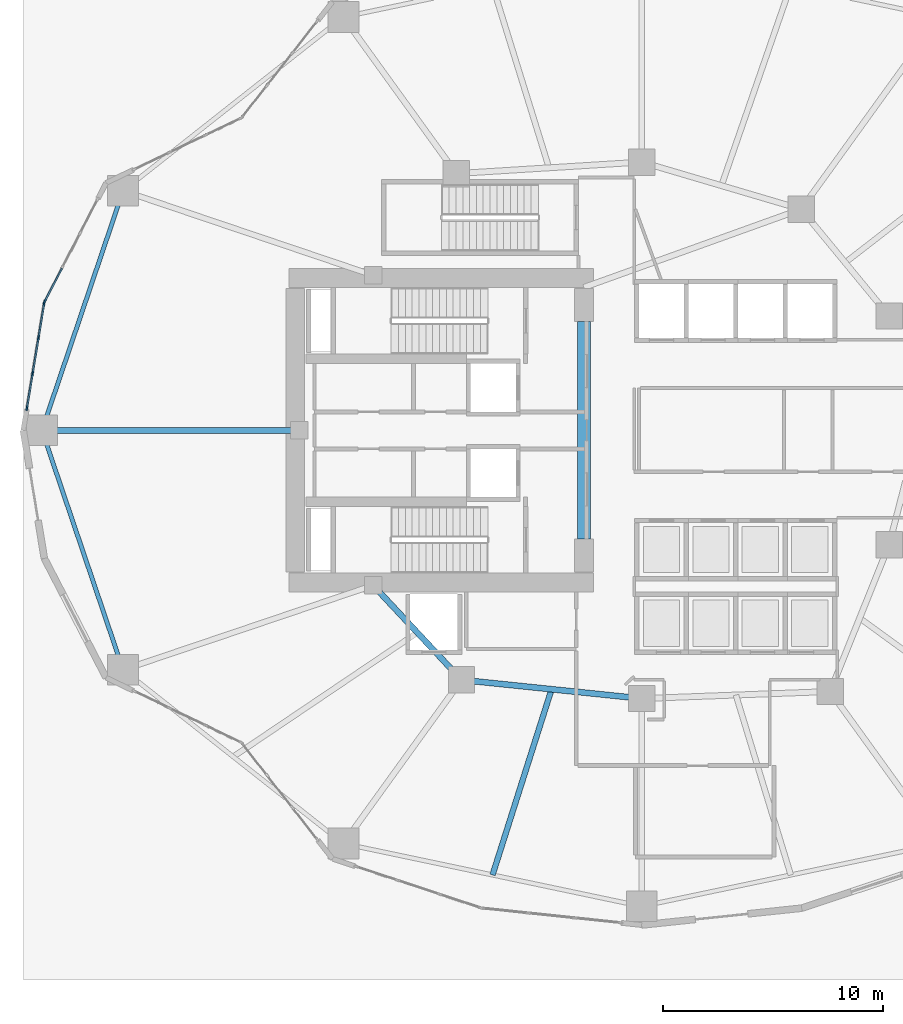
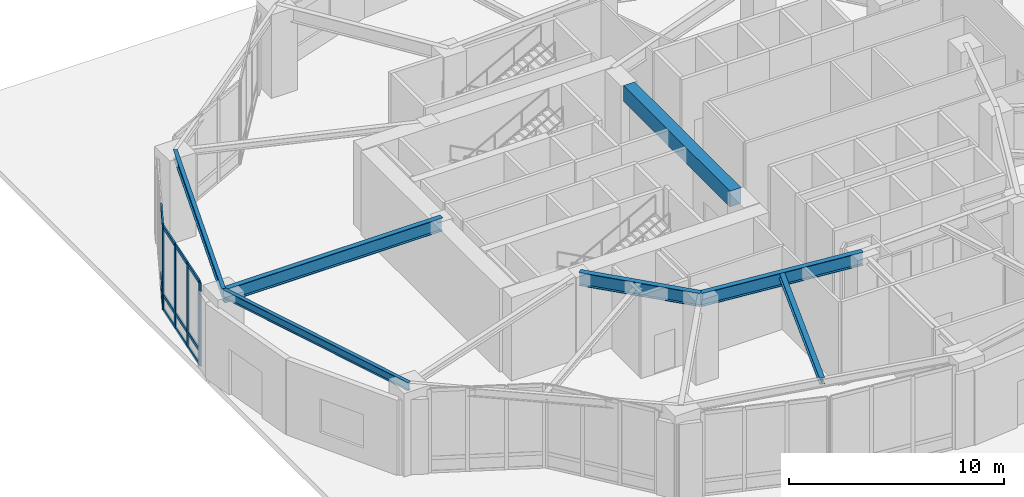
# One storey, part 3 of 23: 17 members, 7 beams, 2 elements without a shape of their own.
"""IFC4 building model written with IfcOpenShell, lengths in metres."""

from ifc_helpers import new_model, si_unit, direction, frame, origin, origin_2d, place, context, subcontext, project, spatial, rectangle, i_section, extrude, material, layer, layer_set, material_profile, profile_set, type_object, element, aggregate, save


model = new_model("IFC4")

# Units and contexts
model_context = context("Model", 3, precision=1e-05, world=origin(), true_north=direction((0.0, 1.0)))
body_context = subcontext(model_context, "Body", "Model", "MODEL_VIEW")
ifc_project = project(units=[si_unit("LENGTHUNIT", "METRE"), si_unit("AREAUNIT", "SQUARE_METRE"), si_unit("VOLUMEUNIT", "CUBIC_METRE"), si_unit("PLANEANGLEUNIT", "RADIAN"), si_unit("MASSUNIT", "GRAM", prefix="KILO")], contexts=[model_context])

# Site, building, storey
site_placement = place(None, origin())
site = spatial("IfcSite", under=ifc_project, at=site_placement, CompositionType="ELEMENT")
building_placement = place(site_placement, origin())
building = spatial("IfcBuilding", under=site, at=building_placement, Name="Kolvaren Gate Tower and Convention Centre", CompositionType="ELEMENT")
storey_placement = place(building_placement, origin())
storey = spatial("IfcBuildingStorey", under=building, at=storey_placement, Name="L00", CompositionType="ELEMENT", Elevation=0.0)

# Curtain wall, member
ifc_material_1 = material(Name="Anodized Architectural Aluminium Alloy 6063-T6", Category="aluminium")
ifc_layer = layer(ifc_material_1, 0.179931640625)
ifc_layer_set = layer_set([ifc_layer], Name="Anodized Architectural Aluminium Alloy 6063-T6")
curtain_wall_type = type_object("IfcCurtainWallType", Name="CW-POD-GLZ", PredefinedType="NOTDEFINED", material=ifc_layer_set)
curtain_wall_1_placement = place(storey_placement, origin())
curtain_wall_1 = element("IfcCurtainWall", 1, at=curtain_wall_1_placement, inside=storey, type_object=curtain_wall_type, Name="Tower L00 Unitised Curtain Wall CW-POD-GLZ Bay 10", PredefinedType="NOTDEFINED")
ifc_material_profile_1 = material_profile(ifc_material_1, rectangle(XDim=0.074951171875, YDim=0.199951171875, at=origin_2d()), Name="CW-MEM-MUL-200")
ifc_profile_set_1 = profile_set([ifc_material_profile_1], Name="Anodized Architectural Aluminium Alloy 6063-T6")
member_type_1 = type_object("IfcMemberType", Name="CW-MEM-MUL-200", PredefinedType="MULLION", material=ifc_profile_set_1)
member_1_placement = place(storey_placement, frame((2.9755859375, 32.856689453125, 0.0), z_axis=(0.0, 0.0, 1.0), x_axis=(-0.888028058024, 0.459789264949, 0.0)))
member_1 = element("IfcMember", 2, at=member_1_placement, type_object=member_type_1, Name="CW-01 mullion 1", PredefinedType="MULLION", context=body_context, shape_type="SweptSolid", body=[
    extrude(rectangle(XDim=0.074951171875, YDim=0.199951171875, at=origin_2d()), origin(), (0.0, 0.0, 1.0), 4.739990234375),
])

# Curtain wall, members
curtain_wall_2_placement = place(storey_placement, origin())
curtain_wall_2 = element("IfcCurtainWall", 3, at=curtain_wall_2_placement, inside=storey, type_object=curtain_wall_type, Name="Tower L00 Unitised Curtain Wall CW-POD-GLZ Bay 11", PredefinedType="NOTDEFINED")
member_2_placement = place(storey_placement, frame((2.164794921875, 28.001953125, 0.0), z_axis=(0.0, 0.0, 1.0), x_axis=(-0.986728883059, 0.162376449454, 0.0)))
member_2 = element("IfcMember", 4, at=member_2_placement, type_object=member_type_1, Name="CW-01 mullion 1", PredefinedType="MULLION", context=body_context, shape_type="SweptSolid", body=[
    extrude(rectangle(XDim=0.074951171875, YDim=0.199951171875, at=origin_2d()), origin(), (0.0, 0.0, 1.0), 4.739990234375),
])
member_3_placement = place(storey_placement, frame((2.42529296875, 29.58447265625, 0.0), z_axis=(0.0, 0.0, 1.0), x_axis=(-0.986728883059, 0.162376449454, 0.0)))
member_3 = element("IfcMember", 5, at=member_3_placement, type_object=member_type_1, Name="CW-01 mullion 2", PredefinedType="MULLION", context=body_context, shape_type="SweptSolid", body=[
    extrude(rectangle(XDim=0.074951171875, YDim=0.199951171875, at=origin_2d()), origin(), (0.0, 0.0, 1.0), 4.739990234375),
])
member_4_placement = place(storey_placement, frame((2.69189453125, 31.203857421875, 0.0), z_axis=(0.0, 0.0, 1.0), x_axis=(-0.986728883059, 0.162376449454, 0.0)))
member_4 = element("IfcMember", 6, at=member_4_placement, type_object=member_type_1, Name="CW-01 mullion 3", PredefinedType="MULLION", context=body_context, shape_type="SweptSolid", body=[
    extrude(rectangle(XDim=0.074951171875, YDim=0.199951171875, at=origin_2d()), origin(), (0.0, 0.0, 1.0), 4.739990234375),
])
member_5_placement = place(storey_placement, frame((2.9521484375, 32.786376953125, 0.0), z_axis=(0.0, 0.0, 1.0), x_axis=(-0.986728883059, 0.162376449454, 0.0)))
member_5 = element("IfcMember", 7, at=member_5_placement, type_object=member_type_1, Name="CW-01 mullion 4", PredefinedType="MULLION", context=body_context, shape_type="SweptSolid", body=[
    extrude(rectangle(XDim=0.074951171875, YDim=0.199951171875, at=origin_2d()), origin(), (0.0, 0.0, 1.0), 4.739990234375),
])

# Member
ifc_material_profile_2 = material_profile(ifc_material_1, rectangle(XDim=0.074951171875, YDim=0.199951171875, at=origin_2d()), Name="CW-MEM-TRN-200")
ifc_profile_set_2 = profile_set([ifc_material_profile_2], Name="Anodized Architectural Aluminium Alloy 6063-T6")
member_type_2 = type_object("IfcMemberType", Name="CW-MEM-TRN-200", PredefinedType="USERDEFINED", material=ifc_profile_set_2)
member_6_placement = place(storey_placement, frame((2.99267578125, 32.889892578125, 0.03759765625), z_axis=(0.459779568352, 0.888033078509, 0.0), x_axis=(-0.888033078509, 0.459779568352, 0.0)))
member_6 = element("IfcMember", 8, at=member_6_placement, type_object=member_type_2, Name="CW-01 transom 1.1", ObjectType="TRANSOM", PredefinedType="USERDEFINED", context=body_context, shape_type="SweptSolid", body=[
    extrude(rectangle(XDim=0.074951171875, YDim=0.199951171875, at=origin_2d()), origin(), (0.0, 0.0, 1.0), 1.6572265625),
])

member_7_placement = place(storey_placement, frame((2.99267578125, 32.889892578125, 0.85009765625), z_axis=(0.459779568352, 0.888033078509, 0.0), x_axis=(-0.888033078509, 0.459779568352, 0.0)))
member_7 = element("IfcMember", 9, at=member_7_placement, type_object=member_type_2, Name="CW-01 transom 1.2", ObjectType="TRANSOM", PredefinedType="USERDEFINED", context=body_context, shape_type="SweptSolid", body=[
    extrude(rectangle(XDim=0.074951171875, YDim=0.199951171875, at=origin_2d()), origin(), (0.0, 0.0, 1.0), 1.6572265625),
])

member_8_placement = place(storey_placement, frame((2.99267578125, 32.889892578125, 4.702392578125), z_axis=(0.459779568352, 0.888033078509, 0.0), x_axis=(-0.888033078509, 0.459779568352, 0.0)))
member_8 = element("IfcMember", 10, at=member_8_placement, type_object=member_type_2, Name="CW-01 transom 1.3", ObjectType="TRANSOM", PredefinedType="USERDEFINED", context=body_context, shape_type="SweptSolid", body=[
    extrude(rectangle(XDim=0.074951171875, YDim=0.199951171875, at=origin_2d()), origin(), (0.0, 0.0, 1.0), 1.6572265625),
])

aggregate(curtain_wall_1, [member_1, member_6, member_7, member_8])

member_9_placement = place(storey_placement, frame((2.1708984375, 28.0390625, 0.03759765625), z_axis=(0.162430279012, 0.98672002334, 0.0), x_axis=(-0.98672002334, 0.162430279012, 0.0)))
member_9 = element("IfcMember", 11, at=member_9_placement, type_object=member_type_2, Name="CW-01 transom 1.1", ObjectType="TRANSOM", PredefinedType="USERDEFINED", context=body_context, shape_type="SweptSolid", body=[
    extrude(rectangle(XDim=0.074951171875, YDim=0.199951171875, at=origin_2d()), origin(), (0.0, 0.0, 1.0), 1.528564453125),
])

member_10_placement = place(storey_placement, frame((2.1708984375, 28.0390625, 0.85009765625), z_axis=(0.162430279012, 0.98672002334, 0.0), x_axis=(-0.98672002334, 0.162430279012, 0.0)))
member_10 = element("IfcMember", 12, at=member_10_placement, type_object=member_type_2, Name="CW-01 transom 1.2", ObjectType="TRANSOM", PredefinedType="USERDEFINED", context=body_context, shape_type="SweptSolid", body=[
    extrude(rectangle(XDim=0.074951171875, YDim=0.199951171875, at=origin_2d()), origin(), (0.0, 0.0, 1.0), 1.528564453125),
])

member_11_placement = place(storey_placement, frame((2.1708984375, 28.0390625, 4.702392578125), z_axis=(0.162430279012, 0.98672002334, 0.0), x_axis=(-0.98672002334, 0.162430279012, 0.0)))
member_11 = element("IfcMember", 13, at=member_11_placement, type_object=member_type_2, Name="CW-01 transom 1.3", ObjectType="TRANSOM", PredefinedType="USERDEFINED", context=body_context, shape_type="SweptSolid", body=[
    extrude(rectangle(XDim=0.074951171875, YDim=0.199951171875, at=origin_2d()), origin(), (0.0, 0.0, 1.0), 1.528564453125),
])

member_12_placement = place(storey_placement, frame((2.431396484375, 29.62158203125, 0.03759765625), z_axis=(0.162426987198, 0.986720565221, 0.0), x_axis=(-0.986720565221, 0.162426987198, 0.0)))
member_12 = element("IfcMember", 14, at=member_12_placement, type_object=member_type_2, Name="CW-01 transom 2.1", ObjectType="TRANSOM", PredefinedType="USERDEFINED", context=body_context, shape_type="SweptSolid", body=[
    extrude(rectangle(XDim=0.074951171875, YDim=0.199951171875, at=origin_2d()), origin(), (0.0, 0.0, 1.0), 1.566162109375),
])

member_13_placement = place(storey_placement, frame((2.431396484375, 29.62158203125, 0.85009765625), z_axis=(0.162426987198, 0.986720565221, 0.0), x_axis=(-0.986720565221, 0.162426987198, 0.0)))
member_13 = element("IfcMember", 15, at=member_13_placement, type_object=member_type_2, Name="CW-01 transom 2.2", ObjectType="TRANSOM", PredefinedType="USERDEFINED", context=body_context, shape_type="SweptSolid", body=[
    extrude(rectangle(XDim=0.074951171875, YDim=0.199951171875, at=origin_2d()), origin(), (0.0, 0.0, 1.0), 1.566162109375),
])

member_14_placement = place(storey_placement, frame((2.431396484375, 29.62158203125, 4.702392578125), z_axis=(0.162426987198, 0.986720565221, 0.0), x_axis=(-0.986720565221, 0.162426987198, 0.0)))
member_14 = element("IfcMember", 16, at=member_14_placement, type_object=member_type_2, Name="CW-01 transom 2.3", ObjectType="TRANSOM", PredefinedType="USERDEFINED", context=body_context, shape_type="SweptSolid", body=[
    extrude(rectangle(XDim=0.074951171875, YDim=0.199951171875, at=origin_2d()), origin(), (0.0, 0.0, 1.0), 1.566162109375),
])

member_15_placement = place(storey_placement, frame((2.697998046875, 31.240966796875, 0.03759765625), z_axis=(0.162249200801, 0.986749814715, 0.0), x_axis=(-0.986749814715, 0.162249200801, 0.0)))
member_15 = element("IfcMember", 17, at=member_15_placement, type_object=member_type_2, Name="CW-01 transom 3.1", ObjectType="TRANSOM", PredefinedType="USERDEFINED", context=body_context, shape_type="SweptSolid", body=[
    extrude(rectangle(XDim=0.074951171875, YDim=0.199951171875, at=origin_2d()), origin(), (0.0, 0.0, 1.0), 1.52880859375),
])

member_16_placement = place(storey_placement, frame((2.697998046875, 31.240966796875, 0.85009765625), z_axis=(0.162249200801, 0.986749814715, 0.0), x_axis=(-0.986749814715, 0.162249200801, 0.0)))
member_16 = element("IfcMember", 18, at=member_16_placement, type_object=member_type_2, Name="CW-01 transom 3.2", ObjectType="TRANSOM", PredefinedType="USERDEFINED", context=body_context, shape_type="SweptSolid", body=[
    extrude(rectangle(XDim=0.074951171875, YDim=0.199951171875, at=origin_2d()), origin(), (0.0, 0.0, 1.0), 1.52880859375),
])

member_17_placement = place(storey_placement, frame((2.697998046875, 31.240966796875, 4.702392578125), z_axis=(0.162249200801, 0.986749814715, 0.0), x_axis=(-0.986749814715, 0.162249200801, 0.0)))
member_17 = element("IfcMember", 19, at=member_17_placement, type_object=member_type_2, Name="CW-01 transom 3.3", ObjectType="TRANSOM", PredefinedType="USERDEFINED", context=body_context, shape_type="SweptSolid", body=[
    extrude(rectangle(XDim=0.074951171875, YDim=0.199951171875, at=origin_2d()), origin(), (0.0, 0.0, 1.0), 1.52880859375),
])

aggregate(curtain_wall_2, [member_2, member_3, member_4, member_5, member_9, member_10, member_11, member_12, member_13, member_14, member_15, member_16, member_17])

# Beams
ifc_material_2 = material(Name="Structural steel ASTM A992 Grade 345 MPa", Category="steel")
ifc_material_profile_3 = material_profile(ifc_material_2, i_section(OverallWidth=0.26806640625, OverallDepth=0.758056640625, WebThickness=0.016357421875, FlangeThickness=0.025390625, at=origin_2d()), Name="W760X220")
ifc_profile_set_3 = profile_set([ifc_material_profile_3], Name="Structural steel ASTM A992 Grade 345 MPa")
beam_type_1 = type_object("IfcBeamType", Name="STR-BM-W760X220", PredefinedType="BEAM", material=ifc_profile_set_3)
beam_1_placement = place(storey_placement, frame((17.9140625, 19.949951171875, 4.361083984375), z_axis=(0.682557592987, -0.730831808459, 0.0), x_axis=(0.730831808459, 0.682557592987, 0.0)))
element("IfcBeam", 20, at=beam_1_placement, inside=storey, type_object=beam_type_1, Name="Tower L00 Primary Ring Girder G-06", PredefinedType="BEAM", context=body_context, shape_type="SweptSolid", body=[
    extrude(i_section(OverallWidth=0.26806640625, OverallDepth=0.758056640625, WebThickness=0.016357421875, FlangeThickness=0.025390625, at=origin_2d()), origin(), (0.0, 0.0, 1.0), 5.88671875),
])
beam_2_placement = place(storey_placement, frame((21.93212890625, 15.647705078125, 4.361083984375), z_axis=(0.994690329115, -0.102913308978, 0.0), x_axis=(0.102913308978, 0.994690329115, 0.0)))
element("IfcBeam", 21, at=beam_2_placement, inside=storey, type_object=beam_type_1, Name="Tower L00 Primary Ring Girder G-07", PredefinedType="BEAM", context=body_context, shape_type="SweptSolid", body=[
    extrude(i_section(OverallWidth=0.26806640625, OverallDepth=0.758056640625, WebThickness=0.016357421875, FlangeThickness=0.025390625, at=origin_2d()), origin(), (0.0, 0.0, 1.0), 8.236572265625),
])
beam_3_placement = place(storey_placement, frame((14.550048828125, 27.0, 4.361083984375), z_axis=(-1.0, 0.0, 0.0), x_axis=(0.0, -1.0, 0.0)))
element("IfcBeam", 22, at=beam_3_placement, inside=storey, type_object=beam_type_1, Name="Tower L00 Radial Floor Girder RB-07", PredefinedType="BEAM", context=body_context, shape_type="SweptSolid", body=[
    extrude(i_section(OverallWidth=0.26806640625, OverallDepth=0.758056640625, WebThickness=0.016357421875, FlangeThickness=0.025390625, at=origin_2d()), origin(), (0.0, 0.0, 1.0), 11.699951171875),
])
ifc_material_profile_4 = material_profile(ifc_material_2, i_section(OverallWidth=0.2548828125, OverallDepth=0.35693359375, WebThickness=0.010498046875, FlangeThickness=0.018310546875, at=origin_2d()), Name="W360X101")
ifc_profile_set_4 = profile_set([ifc_material_profile_4], Name="Structural steel ASTM A992 Grade 345 MPa")
beam_type_2 = type_object("IfcBeamType", Name="STR-JS-W360X101", PredefinedType="JOIST", material=ifc_profile_set_4)
beam_4_placement = place(storey_placement, frame((26.028564453125, 15.223876953125, 4.5615234375), z_axis=(-0.303059270932, -0.952971709078, 0.0), x_axis=(0.952971709078, -0.303059270932, 0.0)))
element("IfcBeam", 23, at=beam_4_placement, inside=storey, type_object=beam_type_2, Name="Tower L00 Secondary Composite Floor Joist J-09.1", PredefinedType="JOIST", context=body_context, shape_type="SweptSolid", body=[
    extrude(i_section(OverallWidth=0.2548828125, OverallDepth=0.35693359375, WebThickness=0.010498046875, FlangeThickness=0.018310546875, at=origin_2d()), origin(), (0.0, 0.0, 1.0), 8.86376953125),
])
ifc_material_3 = material(Name="Concrete C60/75", Category="concrete")
ifc_material_profile_5 = material_profile(ifc_material_3, rectangle(XDim=0.60009765625, YDim=0.89990234375, at=origin_2d()), Name="RC-BM-600X900")
ifc_profile_set_5 = profile_set([ifc_material_profile_5], Name="Concrete C60/75")
beam_type_3 = type_object("IfcBeamType", Name="STR-LN-RC600X900", PredefinedType="LINTEL", material=ifc_profile_set_5)
beam_5_placement = place(storey_placement, frame((27.5, 22.050048828125, 4.2900390625), z_axis=(0.0, 1.0, 0.0), x_axis=(-1.0, 0.0, 0.0)))
element("IfcBeam", 24, at=beam_5_placement, inside=storey, type_object=beam_type_3, Name="Tower L00 Core Ductile Coupling Beam CB-01", PredefinedType="LINTEL", context=body_context, shape_type="SweptSolid", body=[
    extrude(rectangle(XDim=0.60009765625, YDim=0.89990234375, at=origin_2d()), origin(), (0.0, 0.0, 1.0), 9.89990234375),
])
ifc_material_profile_6 = material_profile(ifc_material_2, i_section(OverallWidth=0.194091796875, OverallDepth=0.468994140625, WebThickness=0.0126953125, FlangeThickness=0.0205078125, at=origin_2d()), Name="W460X106")
ifc_profile_set_6 = profile_set([ifc_material_profile_6], Name="Structural steel ASTM A992 Grade 345 MPa")
beam_type_4 = type_object("IfcBeamType", Name="STR-SP-W460X106", PredefinedType="SPANDREL", material=ifc_profile_set_6)
for number, where, z_axis, x_axis, name in (
    (25, (6.539794921875, 37.8935546875, 4.505615234375), (-0.320802733798, -0.947146032029, 0.0), (0.947146032029, -0.320802733798, 0.0), "Tower L00 Perimeter Spandrel Beam SP-06"),
    (26, (2.85009765625, 27.0, 4.505615234375), (0.320802733798, -0.947146032029, 0.0), (0.947146032029, 0.320802733798, 0.0), "Tower L00 Perimeter Spandrel Beam SP-07"),
):
    element("IfcBeam", number, at=place(storey_placement, frame(where, z_axis=z_axis, x_axis=x_axis)), inside=storey, type_object=beam_type_4, Name=name, PredefinedType="SPANDREL", context=body_context, shape_type="SweptSolid", body=[
        extrude(i_section(OverallWidth=0.194091796875, OverallDepth=0.468994140625, WebThickness=0.0126953125, FlangeThickness=0.0205078125, at=origin_2d()), origin(), (0.0, 0.0, 1.0), 11.50146484375),
    ])

save(model, "model.ifc")
